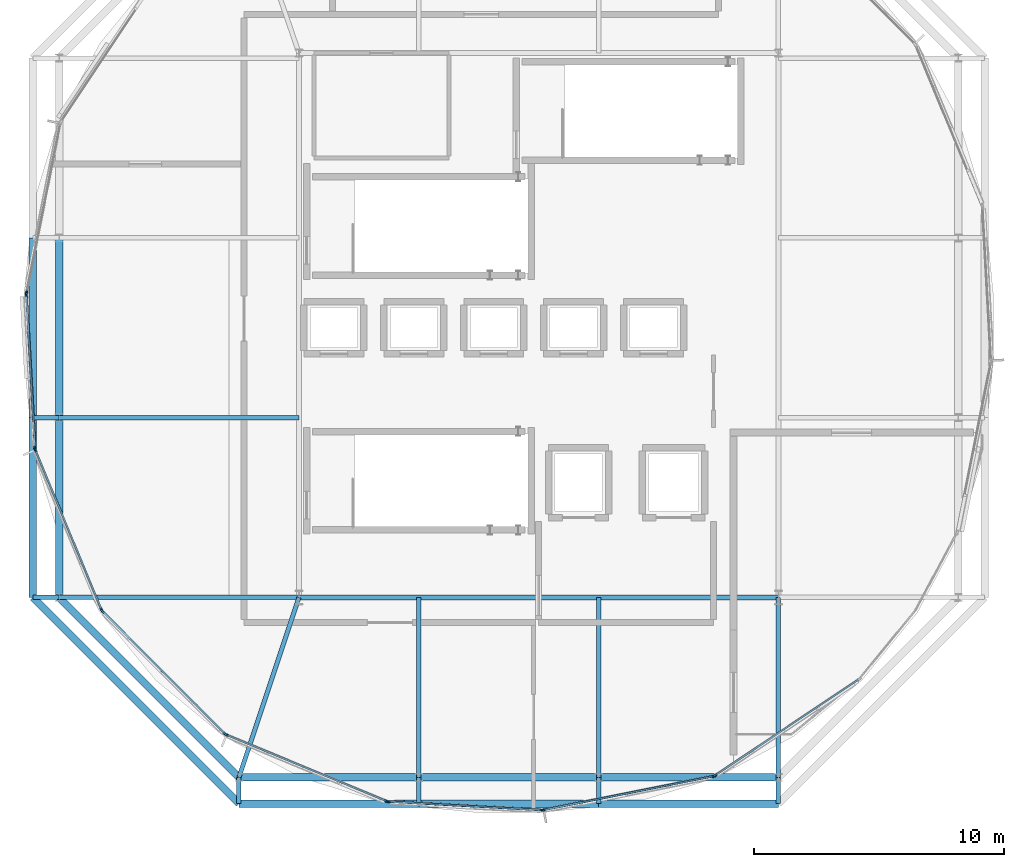
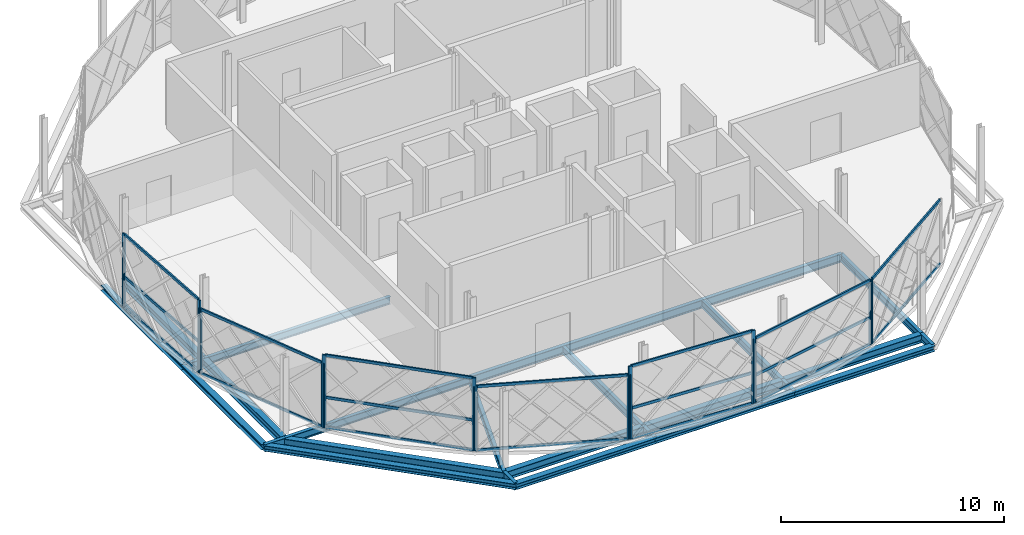
# One storey, part 5 of 15: 32 members, 25 beams, 8 elements without a shape of their own.
"""IFC4 building model written with IfcOpenShell, lengths in metres."""

from ifc_helpers import new_model, si_unit, direction, frame, origin, origin_2d, place, context, subcontext, project, spatial, rectangle, i_section, extrude, material, layer, layer_set, material_profile, profile_set, type_object, element, aggregate, save


model = new_model("IFC4")

# Units and contexts
model_context = context("Model", 3, precision=1e-05, world=origin(), true_north=direction((0.0, 1.0)))
body_context = subcontext(model_context, "Body", "Model", "MODEL_VIEW")
ifc_project = project(units=[si_unit("LENGTHUNIT", "METRE"), si_unit("AREAUNIT", "SQUARE_METRE"), si_unit("VOLUMEUNIT", "CUBIC_METRE"), si_unit("PLANEANGLEUNIT", "RADIAN"), si_unit("MASSUNIT", "GRAM", prefix="KILO")], contexts=[model_context])

# Site, building, storey
site_placement = place(None, origin())
site = spatial("IfcSite", under=ifc_project, at=site_placement, CompositionType="ELEMENT")
building_placement = place(site_placement, origin())
building = spatial("IfcBuilding", under=site, at=building_placement, Name="Zevrakil Square Congress Hotel", CompositionType="ELEMENT")
storey_placement = place(building_placement, frame((0.0, 0.0, 41.89990234375)))
storey = spatial("IfcBuildingStorey", under=building, at=storey_placement, Name="L12", CompositionType="ELEMENT", Elevation=41.89990234375)

# Beams
ifc_material_1 = material(Name="Steel S355", Category="steel")
ifc_material_profile_1 = material_profile(ifc_material_1, i_section(OverallWidth=0.300048828125, OverallDepth=0.43994140625, WebThickness=0.011474609375, FlangeThickness=0.02099609375, FilletRadius=0.027099609375, at=origin_2d()), Name="HEA 450")
ifc_profile_set_1 = profile_set([ifc_material_profile_1], Name="Steel S355")
beam_type_1 = type_object("IfcBeamType", Name="BM-HEA450", PredefinedType="BEAM", material=ifc_profile_set_1)
beam_1_placement = place(storey_placement, frame((134.39990234375, 9.60009765625, -0.469970703125), z_axis=(1.0, 0.0, 0.0), x_axis=(0.0, 1.0, 0.0)))
element("IfcBeam", 1, at=beam_1_placement, inside=storey, type_object=beam_type_1, Name="L12 drum ring girder DRB-01", PredefinedType="BEAM", context=body_context, shape_type="SweptSolid", body=[
    extrude(i_section(OverallWidth=0.300048828125, OverallDepth=0.43994140625, WebThickness=0.011474609375, FlangeThickness=0.02099609375, FilletRadius=0.027099609375, at=origin_2d()), origin(), (0.0, 0.0, 1.0), 7.2001953125),
])
for number, where, z_axis, x_axis, name in (
    (2, (141.60009765625, 9.60009765625, -0.469970703125), (1.0, 0.0, 0.0), (0.0, 1.0, 0.0), "L12 drum ring girder DRB-02"),
    (3, (148.800048828125, 9.60009765625, -0.469970703125), (1.0, 0.0, 0.0), (0.0, 1.0, 0.0), "L12 drum ring girder DRB-03"),
    (4, (127.199951171875, 31.199951171875, -0.469970703125), (0.0, -1.0, 0.0), (1.0, 0.0, 0.0), "L12 drum ring girder DRB-14"),
    (5, (127.199951171875, 24.0, -0.469970703125), (0.0, -1.0, 0.0), (1.0, 0.0, 0.0), "L12 drum ring girder DRB-15"),
):
    element("IfcBeam", number, at=place(storey_placement, frame(where, z_axis=z_axis, x_axis=x_axis)), inside=storey, type_object=beam_type_1, Name=name, PredefinedType="BEAM", context=body_context, shape_type="SweptSolid", body=[
        extrude(i_section(OverallWidth=0.300048828125, OverallDepth=0.43994140625, WebThickness=0.011474609375, FlangeThickness=0.02099609375, FilletRadius=0.027099609375, at=origin_2d()), origin(), (0.0, 0.0, 1.0), 7.199951171875),
    ])
beam_2_placement = place(storey_placement, frame((127.199951171875, 16.800048828125, -0.469970703125), z_axis=(0.707106781187, -0.707106781187, 0.0), x_axis=(0.707106781187, 0.707106781187, 0.0)))
element("IfcBeam", 6, at=beam_2_placement, inside=storey, type_object=beam_type_1, Name="L12 drum ring girder DRB-16", PredefinedType="BEAM", context=body_context, shape_type="SweptSolid", body=[
    extrude(i_section(OverallWidth=0.300048828125, OverallDepth=0.43994140625, WebThickness=0.011474609375, FlangeThickness=0.02099609375, FilletRadius=0.027099609375, at=origin_2d()), origin(), (0.0, 0.0, 1.0), 10.182373046875),
])
ifc_material_2 = material(Name="Steel S355", Category="steel")
ifc_material_profile_2 = material_profile(ifc_material_2, i_section(OverallWidth=0.18994140625, OverallDepth=0.449951171875, WebThickness=0.009521484375, FlangeThickness=0.0146484375, FilletRadius=0.02099609375, at=origin_2d()), Name="IPE 450")
ifc_profile_set_2 = profile_set([ifc_material_profile_2], Name="Steel S355")
beam_type_2 = type_object("IfcBeamType", Name="BM-IPE450", PredefinedType="BEAM", material=ifc_profile_set_2)
beam_3_placement = place(storey_placement, frame((136.800048828125, 16.800048828125, -0.474853515625), z_axis=(1.0, 0.0, 0.0), x_axis=(0.0, 1.0, 0.0)))
element("IfcBeam", 7, at=beam_3_placement, inside=storey, type_object=beam_type_2, Name="L12 drum core perimeter tie beam DCB-01", PredefinedType="BEAM", context=body_context, shape_type="SweptSolid", body=[
    extrude(i_section(OverallWidth=0.18994140625, OverallDepth=0.449951171875, WebThickness=0.009521484375, FlangeThickness=0.0146484375, FilletRadius=0.02099609375, at=origin_2d()), origin(), (0.0, 0.0, 1.0), 19.199951171875),
])

# Curtain wall, members
ifc_material_3 = material(Name="Aluminium Anodised Bronze", Category="aluminium")
ifc_layer_1 = layer(ifc_material_3, 0.179931640625)
ifc_layer_set_1 = layer_set([ifc_layer_1], Name="Aluminium Anodised Bronze")
curtain_wall_type_1 = type_object("IfcCurtainWallType", Name="CW-L12-720", PredefinedType="USERDEFINED", material=ifc_layer_set_1)
curtain_wall_1_placement = place(storey_placement, origin())
curtain_wall_1 = element("IfcCurtainWall", 8, at=curtain_wall_1_placement, inside=storey, type_object=curtain_wall_type_1, Name="L12 diamond curtain wall CW-L12-0302", ObjectType="GLAZED CURTAIN WALL", PredefinedType="USERDEFINED")
ifc_material_4 = material(Name="Aluminium Anodised Bronze", Category="aluminium")
ifc_material_profile_3 = material_profile(ifc_material_4, rectangle(XDim=0.074951171875, YDim=0.14990234375, at=origin_2d()), Name="ALU 75x150")
ifc_profile_set_3 = profile_set([ifc_material_profile_3], Name="Aluminium Anodised Bronze")
member_type_1 = type_object("IfcMemberType", Name="CWM-ALU75x150", PredefinedType="USERDEFINED", material=ifc_profile_set_3)
member_1_placement = place(storey_placement, frame((146.61474609375, 8.30078125, 0.030029296875), z_axis=(0.98078740996, 0.195079615704, 0.0), x_axis=(-0.195079615704, 0.98078740996, 0.0)))
member_1 = element("IfcMember", 9, at=member_1_placement, type_object=member_type_1, Name="CW-142 transom 1.1", ObjectType="TRANSOM", PredefinedType="USERDEFINED", context=body_context, shape_type="SweptSolid", body=[
    extrude(rectangle(XDim=0.074951171875, YDim=0.14990234375, at=origin_2d()), origin(), (0.0, 0.0, 1.0), 6.8857421875),
])
member_2_placement = place(storey_placement, frame((146.61474609375, 8.30078125, 1.48681640625), z_axis=(0.98078740996, 0.195079615704, 0.0), x_axis=(-0.195079615704, 0.98078740996, 0.0)))
member_2 = element("IfcMember", 10, at=member_2_placement, type_object=member_type_1, Name="CW-142 transom 1.2", ObjectType="TRANSOM", PredefinedType="USERDEFINED", context=body_context, shape_type="SweptSolid", body=[
    extrude(rectangle(XDim=0.074951171875, YDim=0.14990234375, at=origin_2d()), origin(), (0.0, 0.0, 1.0), 6.8857421875),
])
member_3_placement = place(storey_placement, frame((146.61474609375, 8.30078125, 3.510009765625), z_axis=(0.98078740996, 0.195079615704, 0.0), x_axis=(-0.195079615704, 0.98078740996, 0.0)))
member_3 = element("IfcMember", 11, at=member_3_placement, type_object=member_type_1, Name="CW-142 transom 1.3", ObjectType="TRANSOM", PredefinedType="USERDEFINED", context=body_context, shape_type="SweptSolid", body=[
    extrude(rectangle(XDim=0.074951171875, YDim=0.14990234375, at=origin_2d()), origin(), (0.0, 0.0, 1.0), 6.8857421875),
])

curtain_wall_2_placement = place(storey_placement, origin())
curtain_wall_2 = element("IfcCurtainWall", 12, at=curtain_wall_2_placement, inside=storey, type_object=curtain_wall_type_1, Name="L12 diamond curtain wall CW-L12-0303", ObjectType="GLAZED CURTAIN WALL", PredefinedType="USERDEFINED")
member_4_placement = place(storey_placement, frame((153.47705078125, 9.68896484375, 0.030029296875), z_axis=(0.831449778178, 0.555599915738, 0.0), x_axis=(-0.555599915738, 0.831449778178, 0.0)))
member_4 = element("IfcMember", 13, at=member_4_placement, type_object=member_type_1, Name="CW-142 transom 1.1", ObjectType="TRANSOM", PredefinedType="USERDEFINED", context=body_context, shape_type="SweptSolid", body=[
    extrude(rectangle(XDim=0.074951171875, YDim=0.14990234375, at=origin_2d()), origin(), (0.0, 0.0, 1.0), 6.8857421875),
])
member_5_placement = place(storey_placement, frame((153.47705078125, 9.68896484375, 3.510009765625), z_axis=(0.831449778178, 0.555599915738, 0.0), x_axis=(-0.555599915738, 0.831449778178, 0.0)))
member_5 = element("IfcMember", 14, at=member_5_placement, type_object=member_type_1, Name="CW-142 transom 1.2", ObjectType="TRANSOM", PredefinedType="USERDEFINED", context=body_context, shape_type="SweptSolid", body=[
    extrude(rectangle(XDim=0.074951171875, YDim=0.14990234375, at=origin_2d()), origin(), (0.0, 0.0, 1.0), 6.8857421875),
])

ifc_material_5 = material(Name="Aluminium Anodised Bronze", Category="aluminium")
ifc_layer_2 = layer(ifc_material_5, 0.179931640625)
ifc_layer_set_2 = layer_set([ifc_layer_2], Name="Aluminium Anodised Bronze")
curtain_wall_type_2 = type_object("IfcCurtainWallType", Name="CW-L12-640", PredefinedType="USERDEFINED", material=ifc_layer_set_2)
curtain_wall_3_placement = place(storey_placement, origin())
curtain_wall_3 = element("IfcCurtainWall", 15, at=curtain_wall_3_placement, inside=storey, type_object=curtain_wall_type_2, Name="L12 diamond curtain wall CW-L12-0314", ObjectType="GLAZED CURTAIN WALL", PredefinedType="USERDEFINED")
member_6_placement = place(storey_placement, frame((125.892333984375, 28.89599609375, 0.030029296875), z_axis=(0.055432363232, -0.998462444515, 0.0), x_axis=(0.998462444515, 0.055432363232, 0.0)))
member_6 = element("IfcMember", 16, at=member_6_placement, type_object=member_type_1, Name="CW-141 transom 1.1", ObjectType="TRANSOM", PredefinedType="USERDEFINED", context=body_context, shape_type="SweptSolid", body=[
    extrude(rectangle(XDim=0.074951171875, YDim=0.14990234375, at=origin_2d()), origin(), (0.0, 0.0, 1.0), 6.104248046875),
])
member_7_placement = place(storey_placement, frame((125.892333984375, 28.89599609375, 1.677978515625), z_axis=(0.055432363232, -0.998462444515, 0.0), x_axis=(0.998462444515, 0.055432363232, 0.0)))
member_7 = element("IfcMember", 17, at=member_7_placement, type_object=member_type_1, Name="CW-141 transom 1.2", ObjectType="TRANSOM", PredefinedType="USERDEFINED", context=body_context, shape_type="SweptSolid", body=[
    extrude(rectangle(XDim=0.074951171875, YDim=0.14990234375, at=origin_2d()), origin(), (0.0, 0.0, 1.0), 6.104248046875),
])
member_8_placement = place(storey_placement, frame((125.892333984375, 28.89599609375, 3.965087890625), z_axis=(0.055432363232, -0.998462444515, 0.0), x_axis=(0.998462444515, 0.055432363232, 0.0)))
member_8 = element("IfcMember", 18, at=member_8_placement, type_object=member_type_1, Name="CW-141 transom 1.3", ObjectType="TRANSOM", PredefinedType="USERDEFINED", context=body_context, shape_type="SweptSolid", body=[
    extrude(rectangle(XDim=0.074951171875, YDim=0.14990234375, at=origin_2d()), origin(), (0.0, 0.0, 1.0), 6.104248046875),
])

curtain_wall_4_placement = place(storey_placement, origin())
curtain_wall_4 = element("IfcCurtainWall", 19, at=curtain_wall_4_placement, inside=storey, type_object=curtain_wall_type_1, Name="L12 diamond curtain wall CW-L12-0315", ObjectType="GLAZED CURTAIN WALL", PredefinedType="USERDEFINED")
member_9_placement = place(storey_placement, frame((126.257080078125, 22.685791015625, 0.030029296875), z_axis=(0.382678505582, -0.923881573236, 0.0), x_axis=(0.923881573236, 0.382678505582, 0.0)))
member_9 = element("IfcMember", 20, at=member_9_placement, type_object=member_type_1, Name="CW-142 transom 1.1", ObjectType="TRANSOM", PredefinedType="USERDEFINED", context=body_context, shape_type="SweptSolid", body=[
    extrude(rectangle(XDim=0.074951171875, YDim=0.14990234375, at=origin_2d()), origin(), (0.0, 0.0, 1.0), 6.8857421875),
])
member_10_placement = place(storey_placement, frame((126.257080078125, 22.685791015625, 3.510009765625), z_axis=(0.382678505582, -0.923881573236, 0.0), x_axis=(0.923881573236, 0.382678505582, 0.0)))
member_10 = element("IfcMember", 21, at=member_10_placement, type_object=member_type_1, Name="CW-142 transom 1.2", ObjectType="TRANSOM", PredefinedType="USERDEFINED", context=body_context, shape_type="SweptSolid", body=[
    extrude(rectangle(XDim=0.074951171875, YDim=0.14990234375, at=origin_2d()), origin(), (0.0, 0.0, 1.0), 6.8857421875),
])

curtain_wall_5_placement = place(storey_placement, origin())
curtain_wall_5 = element("IfcCurtainWall", 22, at=curtain_wall_5_placement, inside=storey, type_object=curtain_wall_type_1, Name="L12 diamond curtain wall CW-L12-0316", ObjectType="GLAZED CURTAIN WALL", PredefinedType="USERDEFINED")
member_11_placement = place(storey_placement, frame((128.95751953125, 16.226318359375, 0.030029296875), z_axis=(0.707089052325, -0.707124509604, 0.0), x_axis=(0.707124509604, 0.707089052325, 0.0)))
member_11 = element("IfcMember", 23, at=member_11_placement, type_object=member_type_1, Name="CW-142 transom 1.1", ObjectType="TRANSOM", PredefinedType="USERDEFINED", context=body_context, shape_type="SweptSolid", body=[
    extrude(rectangle(XDim=0.074951171875, YDim=0.14990234375, at=origin_2d()), origin(), (0.0, 0.0, 1.0), 6.885498046875),
])
member_12_placement = place(storey_placement, frame((128.95751953125, 16.226318359375, 1.677978515625), z_axis=(0.707089052325, -0.707124509604, 0.0), x_axis=(0.707124509604, 0.707089052325, 0.0)))
member_12 = element("IfcMember", 24, at=member_12_placement, type_object=member_type_1, Name="CW-142 transom 1.2", ObjectType="TRANSOM", PredefinedType="USERDEFINED", context=body_context, shape_type="SweptSolid", body=[
    extrude(rectangle(XDim=0.074951171875, YDim=0.14990234375, at=origin_2d()), origin(), (0.0, 0.0, 1.0), 6.885498046875),
])
member_13_placement = place(storey_placement, frame((128.95751953125, 16.226318359375, 3.965087890625), z_axis=(0.707089052325, -0.707124509604, 0.0), x_axis=(0.707124509604, 0.707089052325, 0.0)))
member_13 = element("IfcMember", 25, at=member_13_placement, type_object=member_type_1, Name="CW-142 transom 1.3", ObjectType="TRANSOM", PredefinedType="USERDEFINED", context=body_context, shape_type="SweptSolid", body=[
    extrude(rectangle(XDim=0.074951171875, YDim=0.14990234375, at=origin_2d()), origin(), (0.0, 0.0, 1.0), 6.885498046875),
])

curtain_wall_6_placement = place(storey_placement, origin())
curtain_wall_6 = element("IfcCurtainWall", 26, at=curtain_wall_6_placement, inside=storey, type_object=curtain_wall_type_1, Name="L12 diamond curtain wall CW-L12-0317", ObjectType="GLAZED CURTAIN WALL", PredefinedType="USERDEFINED")
member_14_placement = place(storey_placement, frame((133.924072265625, 11.2919921875, 0.030029296875), z_axis=(0.923886765284, -0.38266597044, 0.0), x_axis=(0.38266597044, 0.923886765284, 0.0)))
member_14 = element("IfcMember", 27, at=member_14_placement, type_object=member_type_1, Name="CW-142 transom 1.1", ObjectType="TRANSOM", PredefinedType="USERDEFINED", context=body_context, shape_type="SweptSolid", body=[
    extrude(rectangle(XDim=0.074951171875, YDim=0.14990234375, at=origin_2d()), origin(), (0.0, 0.0, 1.0), 6.885986328125),
])
member_15_placement = place(storey_placement, frame((133.924072265625, 11.2919921875, 3.510009765625), z_axis=(0.923886765284, -0.38266597044, 0.0), x_axis=(0.38266597044, 0.923886765284, 0.0)))
member_15 = element("IfcMember", 28, at=member_15_placement, type_object=member_type_1, Name="CW-142 transom 1.2", ObjectType="TRANSOM", PredefinedType="USERDEFINED", context=body_context, shape_type="SweptSolid", body=[
    extrude(rectangle(XDim=0.074951171875, YDim=0.14990234375, at=origin_2d()), origin(), (0.0, 0.0, 1.0), 6.885986328125),
])

curtain_wall_7_placement = place(storey_placement, origin())
curtain_wall_7 = element("IfcCurtainWall", 29, at=curtain_wall_7_placement, inside=storey, type_object=curtain_wall_type_2, Name="L12 diamond curtain wall CW-L12-0318", ObjectType="GLAZED CURTAIN WALL", PredefinedType="USERDEFINED")
member_16_placement = place(storey_placement, frame((140.401123046875, 8.630615234375, 0.030029296875), z_axis=(0.998462444515, -0.055432363232, 0.0), x_axis=(0.055432363232, 0.998462444515, 0.0)))
member_16 = element("IfcMember", 30, at=member_16_placement, type_object=member_type_1, Name="CW-141 transom 1.1", ObjectType="TRANSOM", PredefinedType="USERDEFINED", context=body_context, shape_type="SweptSolid", body=[
    extrude(rectangle(XDim=0.074951171875, YDim=0.14990234375, at=origin_2d()), origin(), (0.0, 0.0, 1.0), 6.104248046875),
])
member_17_placement = place(storey_placement, frame((140.401123046875, 8.630615234375, 1.677978515625), z_axis=(0.998462444515, -0.055432363232, 0.0), x_axis=(0.055432363232, 0.998462444515, 0.0)))
member_17 = element("IfcMember", 31, at=member_17_placement, type_object=member_type_1, Name="CW-141 transom 1.2", ObjectType="TRANSOM", PredefinedType="USERDEFINED", context=body_context, shape_type="SweptSolid", body=[
    extrude(rectangle(XDim=0.074951171875, YDim=0.14990234375, at=origin_2d()), origin(), (0.0, 0.0, 1.0), 6.104248046875),
])
member_18_placement = place(storey_placement, frame((140.401123046875, 8.630615234375, 3.965087890625), z_axis=(0.998462444515, -0.055432363232, 0.0), x_axis=(0.055432363232, 0.998462444515, 0.0)))
member_18 = element("IfcMember", 32, at=member_18_placement, type_object=member_type_1, Name="CW-141 transom 1.3", ObjectType="TRANSOM", PredefinedType="USERDEFINED", context=body_context, shape_type="SweptSolid", body=[
    extrude(rectangle(XDim=0.074951171875, YDim=0.14990234375, at=origin_2d()), origin(), (0.0, 0.0, 1.0), 6.104248046875),
])

# Member
ifc_material_6 = material(Name="Aluminium Anodised Bronze", Category="aluminium")
ifc_material_profile_4 = material_profile(ifc_material_6, rectangle(XDim=0.074951171875, YDim=0.179931640625, at=origin_2d()), Name="ALU 75x180")
ifc_profile_set_4 = profile_set([ifc_material_profile_4], Name="Aluminium Anodised Bronze")
member_type_2 = type_object("IfcMemberType", Name="CWM-ALU75x180", PredefinedType="MULLION", material=ifc_profile_set_4)
member_19_placement = place(storey_placement, frame((146.58544921875, 8.294921875, 0.0), z_axis=(0.0, 0.0, 1.0), x_axis=(-0.195083900459, 0.980786557708, 0.0)))
member_19 = element("IfcMember", 33, at=member_19_placement, type_object=member_type_2, Name="CW-142 mullion 1", PredefinedType="MULLION", context=body_context, shape_type="SweptSolid", body=[
    extrude(rectangle(XDim=0.074951171875, YDim=0.179931640625, at=origin_2d()), origin(), (0.0, 0.0, 1.0), 3.5400390625),
])

member_20_placement = place(storey_placement, frame((153.397705078125, 9.64990234375, 0.0), z_axis=(0.0, 0.0, 1.0), x_axis=(-0.195083900459, 0.980786557708, 0.0)))
member_20 = element("IfcMember", 34, at=member_20_placement, type_object=member_type_2, Name="CW-142 mullion 2", PredefinedType="MULLION", context=body_context, shape_type="SweptSolid", body=[
    extrude(rectangle(XDim=0.074951171875, YDim=0.179931640625, at=origin_2d()), origin(), (0.0, 0.0, 1.0), 3.5400390625),
])

aggregate(curtain_wall_1, [member_19, member_20, member_1, member_2, member_3])

member_21_placement = place(storey_placement, frame((153.4521484375, 9.67236328125, 0.0), z_axis=(0.0, 0.0, 1.0), x_axis=(-0.555576098128, 0.831465693332, 0.0)))
member_21 = element("IfcMember", 35, at=member_21_placement, type_object=member_type_2, Name="CW-142 mullion 1", PredefinedType="MULLION", context=body_context, shape_type="SweptSolid", body=[
    extrude(rectangle(XDim=0.074951171875, YDim=0.179931640625, at=origin_2d()), origin(), (0.0, 0.0, 1.0), 3.5400390625),
])

aggregate(curtain_wall_2, [member_21, member_4, member_5])

# Curtain wall, member
curtain_wall_8_placement = place(storey_placement, origin())
curtain_wall_8 = element("IfcCurtainWall", 36, at=curtain_wall_8_placement, inside=storey, type_object=curtain_wall_type_1, Name="L12 diamond curtain wall CW-L12-0313", ObjectType="GLAZED CURTAIN WALL", PredefinedType="USERDEFINED")
member_22_placement = place(storey_placement, frame((125.894775390625, 28.9853515625, 0.0), z_axis=(0.0, 0.0, 1.0), x_axis=(0.980786557708, -0.195083900459, 0.0)))
member_22 = element("IfcMember", 37, at=member_22_placement, type_object=member_type_2, Name="CW-142 mullion 2", PredefinedType="MULLION", context=body_context, shape_type="SweptSolid", body=[
    extrude(rectangle(XDim=0.074951171875, YDim=0.179931640625, at=origin_2d()), origin(), (0.0, 0.0, 1.0), 3.5400390625),
])
aggregate(curtain_wall_8, [member_22])

# Member
member_23_placement = place(storey_placement, frame((125.890625, 28.926025390625, 0.0), z_axis=(0.0, 0.0, 1.0), x_axis=(0.998462725099, 0.055427309038, 0.0)))
member_23 = element("IfcMember", 38, at=member_23_placement, type_object=member_type_2, Name="CW-141 mullion 1", PredefinedType="MULLION", context=body_context, shape_type="SweptSolid", body=[
    extrude(rectangle(XDim=0.074951171875, YDim=0.179931640625, at=origin_2d()), origin(), (0.0, 0.0, 1.0), 3.9951171875),
])

member_24_placement = place(storey_placement, frame((126.232421875, 22.771240234375, 0.0), z_axis=(0.0, 0.0, 1.0), x_axis=(0.998462725099, 0.055427309038, 0.0)))
member_24 = element("IfcMember", 39, at=member_24_placement, type_object=member_type_2, Name="CW-141 mullion 2", PredefinedType="MULLION", context=body_context, shape_type="SweptSolid", body=[
    extrude(rectangle(XDim=0.074951171875, YDim=0.179931640625, at=origin_2d()), origin(), (0.0, 0.0, 1.0), 3.9951171875),
])

aggregate(curtain_wall_3, [member_23, member_24, member_6, member_7, member_8])

member_25_placement = place(storey_placement, frame((126.245361328125, 22.71337890625, 0.0), z_axis=(0.0, 0.0, 1.0), x_axis=(0.92387939537, 0.382683763454, 0.0)))
member_25 = element("IfcMember", 40, at=member_25_placement, type_object=member_type_2, Name="CW-142 mullion 1", PredefinedType="MULLION", context=body_context, shape_type="SweptSolid", body=[
    extrude(rectangle(XDim=0.074951171875, YDim=0.179931640625, at=origin_2d()), origin(), (0.0, 0.0, 1.0), 3.5400390625),
])

member_26_placement = place(storey_placement, frame((128.903564453125, 16.29638671875, 0.0), z_axis=(0.0, 0.0, 1.0), x_axis=(0.92387939537, 0.382683763454, 0.0)))
member_26 = element("IfcMember", 41, at=member_26_placement, type_object=member_type_2, Name="CW-142 mullion 2", PredefinedType="MULLION", context=body_context, shape_type="SweptSolid", body=[
    extrude(rectangle(XDim=0.074951171875, YDim=0.179931640625, at=origin_2d()), origin(), (0.0, 0.0, 1.0), 3.5400390625),
])

aggregate(curtain_wall_4, [member_25, member_26, member_9, member_10])

member_27_placement = place(storey_placement, frame((128.936279296875, 16.24755859375, 0.0), z_axis=(0.0, 0.0, 1.0), x_axis=(0.707106781187, 0.707106781187, 0.0)))
member_27 = element("IfcMember", 42, at=member_27_placement, type_object=member_type_2, Name="CW-142 mullion 1", PredefinedType="MULLION", context=body_context, shape_type="SweptSolid", body=[
    extrude(rectangle(XDim=0.074951171875, YDim=0.179931640625, at=origin_2d()), origin(), (0.0, 0.0, 1.0), 3.9951171875),
])

member_28_placement = place(storey_placement, frame((133.847412109375, 11.336181640625, 0.0), z_axis=(0.0, 0.0, 1.0), x_axis=(0.707106781187, 0.707106781187, 0.0)))
member_28 = element("IfcMember", 43, at=member_28_placement, type_object=member_type_2, Name="CW-142 mullion 2", PredefinedType="MULLION", context=body_context, shape_type="SweptSolid", body=[
    extrude(rectangle(XDim=0.074951171875, YDim=0.179931640625, at=origin_2d()), origin(), (0.0, 0.0, 1.0), 3.9951171875),
])

aggregate(curtain_wall_5, [member_27, member_28, member_11, member_12, member_13])

member_29_placement = place(storey_placement, frame((133.896484375, 11.303466796875, 0.0), z_axis=(0.0, 0.0, 1.0), x_axis=(0.382683763454, 0.92387939537, 0.0)))
member_29 = element("IfcMember", 44, at=member_29_placement, type_object=member_type_2, Name="CW-142 mullion 1", PredefinedType="MULLION", context=body_context, shape_type="SweptSolid", body=[
    extrude(rectangle(XDim=0.074951171875, YDim=0.179931640625, at=origin_2d()), origin(), (0.0, 0.0, 1.0), 3.5400390625),
])

member_30_placement = place(storey_placement, frame((140.3134765625, 8.6455078125, 0.0), z_axis=(0.0, 0.0, 1.0), x_axis=(0.382683763454, 0.92387939537, 0.0)))
member_30 = element("IfcMember", 45, at=member_30_placement, type_object=member_type_2, Name="CW-142 mullion 2", PredefinedType="MULLION", context=body_context, shape_type="SweptSolid", body=[
    extrude(rectangle(XDim=0.074951171875, YDim=0.179931640625, at=origin_2d()), origin(), (0.0, 0.0, 1.0), 3.5400390625),
])

aggregate(curtain_wall_6, [member_29, member_30, member_14, member_15])

member_31_placement = place(storey_placement, frame((140.37109375, 8.63232421875, 0.0), z_axis=(0.0, 0.0, 1.0), x_axis=(0.055427309038, 0.998462725099, 0.0)))
member_31 = element("IfcMember", 46, at=member_31_placement, type_object=member_type_2, Name="CW-141 mullion 1", PredefinedType="MULLION", context=body_context, shape_type="SweptSolid", body=[
    extrude(rectangle(XDim=0.074951171875, YDim=0.179931640625, at=origin_2d()), origin(), (0.0, 0.0, 1.0), 3.9951171875),
])

member_32_placement = place(storey_placement, frame((146.526123046875, 8.290771484375, 0.0), z_axis=(0.0, 0.0, 1.0), x_axis=(0.055427309038, 0.998462725099, 0.0)))
member_32 = element("IfcMember", 47, at=member_32_placement, type_object=member_type_2, Name="CW-141 mullion 2", PredefinedType="MULLION", context=body_context, shape_type="SweptSolid", body=[
    extrude(rectangle(XDim=0.074951171875, YDim=0.179931640625, at=origin_2d()), origin(), (0.0, 0.0, 1.0), 3.9951171875),
])

aggregate(curtain_wall_7, [member_31, member_32, member_16, member_17, member_18])

# Beams
ifc_material_7 = material(Name="Steel S355", Category="steel")
ifc_material_profile_5 = material_profile(ifc_material_7, i_section(OverallWidth=0.179931640625, OverallDepth=0.39990234375, WebThickness=0.008544921875, FlangeThickness=0.013427734375, FilletRadius=0.02099609375, at=origin_2d()), Name="IPE 400")
ifc_profile_set_5 = profile_set([ifc_material_profile_5], Name="Steel S355")
beam_type_3 = type_object("IfcBeamType", Name="JST-IPE400", PredefinedType="JOIST", material=ifc_profile_set_5)
beam_4_placement = place(storey_placement, frame((136.800048828125, 16.800048828125, -0.449951171875), z_axis=(-0.316247066962, -0.948676864184, 0.0), x_axis=(0.948676864184, -0.316247066962, 0.0)))
element("IfcBeam", 48, at=beam_4_placement, inside=storey, type_object=beam_type_3, Name="L12 drum radial floor beam DRI-01", PredefinedType="JOIST", context=body_context, shape_type="SweptSolid", body=[
    extrude(i_section(OverallWidth=0.179931640625, OverallDepth=0.39990234375, WebThickness=0.008544921875, FlangeThickness=0.013427734375, FilletRadius=0.02099609375, at=origin_2d()), origin(), (0.0, 0.0, 1.0), 7.58935546875),
])
beam_5_placement = place(storey_placement, frame((134.39990234375, 9.60009765625, -0.449951171875), z_axis=(0.0, -1.0, 0.0), x_axis=(1.0, 0.0, 0.0)))
element("IfcBeam", 49, at=beam_5_placement, inside=storey, type_object=beam_type_3, Name="L12 drum radial edge cantilever beam DRO-01", PredefinedType="JOIST", context=body_context, shape_type="SweptSolid", body=[
    extrude(i_section(OverallWidth=0.179931640625, OverallDepth=0.39990234375, WebThickness=0.008544921875, FlangeThickness=0.013427734375, FilletRadius=0.02099609375, at=origin_2d()), origin(), (0.0, 0.0, 1.0), 1.051025390625),
])
beam_6_placement = place(storey_placement, frame((141.60009765625, 16.800048828125, -0.449951171875), z_axis=(0.0, -1.0, 0.0), x_axis=(1.0, 0.0, 0.0)))
element("IfcBeam", 50, at=beam_6_placement, inside=storey, type_object=beam_type_3, Name="L12 drum radial floor beam DRI-02", PredefinedType="JOIST", context=body_context, shape_type="SweptSolid", body=[
    extrude(i_section(OverallWidth=0.179931640625, OverallDepth=0.39990234375, WebThickness=0.008544921875, FlangeThickness=0.013427734375, FilletRadius=0.02099609375, at=origin_2d()), origin(), (0.0, 0.0, 1.0), 7.199951171875),
])
beam_7_placement = place(storey_placement, frame((141.60009765625, 9.60009765625, -0.449951171875), z_axis=(0.0, -1.0, 0.0), x_axis=(1.0, 0.0, 0.0)))
element("IfcBeam", 51, at=beam_7_placement, inside=storey, type_object=beam_type_3, Name="L12 drum radial edge cantilever beam DRO-02", PredefinedType="JOIST", context=body_context, shape_type="SweptSolid", body=[
    extrude(i_section(OverallWidth=0.179931640625, OverallDepth=0.39990234375, WebThickness=0.008544921875, FlangeThickness=0.013427734375, FilletRadius=0.02099609375, at=origin_2d()), origin(), (0.0, 0.0, 1.0), 1.051025390625),
])
beam_8_placement = place(storey_placement, frame((148.800048828125, 16.800048828125, -0.449951171875), z_axis=(0.0, -1.0, 0.0), x_axis=(1.0, 0.0, 0.0)))
element("IfcBeam", 52, at=beam_8_placement, inside=storey, type_object=beam_type_3, Name="L12 drum radial floor beam DRI-03", PredefinedType="JOIST", context=body_context, shape_type="SweptSolid", body=[
    extrude(i_section(OverallWidth=0.179931640625, OverallDepth=0.39990234375, WebThickness=0.008544921875, FlangeThickness=0.013427734375, FilletRadius=0.02099609375, at=origin_2d()), origin(), (0.0, 0.0, 1.0), 7.199951171875),
])
beam_9_placement = place(storey_placement, frame((148.800048828125, 9.60009765625, -0.449951171875), z_axis=(0.0, -1.0, 0.0), x_axis=(1.0, 0.0, 0.0)))
element("IfcBeam", 53, at=beam_9_placement, inside=storey, type_object=beam_type_3, Name="L12 drum radial edge cantilever beam DRO-03", PredefinedType="JOIST", context=body_context, shape_type="SweptSolid", body=[
    extrude(i_section(OverallWidth=0.179931640625, OverallDepth=0.39990234375, WebThickness=0.008544921875, FlangeThickness=0.013427734375, FilletRadius=0.02099609375, at=origin_2d()), origin(), (0.0, 0.0, 1.0), 1.051025390625),
])
beam_10_placement = place(storey_placement, frame((156.0, 16.800048828125, -0.449951171875), z_axis=(0.0, -1.0, 0.0), x_axis=(1.0, 0.0, 0.0)))
element("IfcBeam", 54, at=beam_10_placement, inside=storey, type_object=beam_type_3, Name="L12 drum radial floor beam DRI-04", PredefinedType="JOIST", context=body_context, shape_type="SweptSolid", body=[
    extrude(i_section(OverallWidth=0.179931640625, OverallDepth=0.39990234375, WebThickness=0.008544921875, FlangeThickness=0.013427734375, FilletRadius=0.02099609375, at=origin_2d()), origin(), (0.0, 0.0, 1.0), 7.199951171875),
])
beam_11_placement = place(storey_placement, frame((156.0, 9.60009765625, -0.449951171875), z_axis=(0.0, -1.0, 0.0), x_axis=(1.0, 0.0, 0.0)))
element("IfcBeam", 55, at=beam_11_placement, inside=storey, type_object=beam_type_3, Name="L12 drum radial edge cantilever beam DRO-04", PredefinedType="JOIST", context=body_context, shape_type="SweptSolid", body=[
    extrude(i_section(OverallWidth=0.179931640625, OverallDepth=0.39990234375, WebThickness=0.008544921875, FlangeThickness=0.013427734375, FilletRadius=0.02099609375, at=origin_2d()), origin(), (0.0, 0.0, 1.0), 1.051025390625),
])
beam_12_placement = place(storey_placement, frame((136.800048828125, 24.0, -0.449951171875), z_axis=(-1.0, 0.0, 0.0), x_axis=(0.0, -1.0, 0.0)))
element("IfcBeam", 56, at=beam_12_placement, inside=storey, type_object=beam_type_3, Name="L12 drum radial floor beam DRI-15", PredefinedType="JOIST", context=body_context, shape_type="SweptSolid", body=[
    extrude(i_section(OverallWidth=0.179931640625, OverallDepth=0.39990234375, WebThickness=0.008544921875, FlangeThickness=0.013427734375, FilletRadius=0.02099609375, at=origin_2d()), origin(), (0.0, 0.0, 1.0), 9.60009765625),
])
beam_13_placement = place(storey_placement, frame((127.199951171875, 24.0, -0.449951171875), z_axis=(-1.0, 0.0, 0.0), x_axis=(0.0, -1.0, 0.0)))
element("IfcBeam", 57, at=beam_13_placement, inside=storey, type_object=beam_type_3, Name="L12 drum radial edge cantilever beam DRO-15", PredefinedType="JOIST", context=body_context, shape_type="SweptSolid", body=[
    extrude(i_section(OverallWidth=0.179931640625, OverallDepth=0.39990234375, WebThickness=0.008544921875, FlangeThickness=0.013427734375, FilletRadius=0.02099609375, at=origin_2d()), origin(), (0.0, 0.0, 1.0), 1.051025390625),
])
beam_14_placement = place(storey_placement, frame((136.800048828125, 16.800048828125, -0.449951171875), z_axis=(-1.0, 0.0, 0.0), x_axis=(0.0, -1.0, 0.0)))
element("IfcBeam", 58, at=beam_14_placement, inside=storey, type_object=beam_type_3, Name="L12 drum radial floor beam DRI-16", PredefinedType="JOIST", context=body_context, shape_type="SweptSolid", body=[
    extrude(i_section(OverallWidth=0.179931640625, OverallDepth=0.39990234375, WebThickness=0.008544921875, FlangeThickness=0.013427734375, FilletRadius=0.02099609375, at=origin_2d()), origin(), (0.0, 0.0, 1.0), 9.60009765625),
])
beam_15_placement = place(storey_placement, frame((127.199951171875, 16.800048828125, -0.449951171875), z_axis=(-1.0, 0.0, 0.0), x_axis=(0.0, -1.0, 0.0)))
element("IfcBeam", 59, at=beam_15_placement, inside=storey, type_object=beam_type_3, Name="L12 drum radial edge cantilever beam DRO-16", PredefinedType="JOIST", context=body_context, shape_type="SweptSolid", body=[
    extrude(i_section(OverallWidth=0.179931640625, OverallDepth=0.39990234375, WebThickness=0.008544921875, FlangeThickness=0.013427734375, FilletRadius=0.02099609375, at=origin_2d()), origin(), (0.0, 0.0, 1.0), 1.051025390625),
])
ifc_material_8 = material(Name="Steel S355", Category="steel")
ifc_material_profile_6 = material_profile(ifc_material_8, i_section(OverallWidth=0.300048828125, OverallDepth=0.300048828125, WebThickness=0.010986328125, FlangeThickness=0.01904296875, FilletRadius=0.027099609375, at=origin_2d()), Name="HEB 300")
ifc_profile_set_6 = profile_set([ifc_material_profile_6], Name="Steel S355")
beam_type_4 = type_object("IfcBeamType", Name="SPD-RHS250", PredefinedType="SPANDREL", material=ifc_profile_set_6)
beam_16_placement = place(storey_placement, frame((134.39990234375, 8.549072265625, -0.39990234375), z_axis=(1.0, 0.0, 0.0), x_axis=(0.0, 1.0, 0.0)))
element("IfcBeam", 60, at=beam_16_placement, inside=storey, type_object=beam_type_4, Name="L12 drum edge spandrel beam DSP-00", PredefinedType="SPANDREL", context=body_context, shape_type="SweptSolid", body=[
    extrude(i_section(OverallWidth=0.300048828125, OverallDepth=0.300048828125, WebThickness=0.010986328125, FlangeThickness=0.01904296875, FilletRadius=0.027099609375, at=origin_2d()), origin(), (0.0, 0.0, 1.0), 7.2001953125),
])
for number, where, z_axis, x_axis, name in (
    (61, (141.60009765625, 8.549072265625, -0.39990234375), (1.0, 0.0, 0.0), (0.0, 1.0, 0.0), "L12 drum edge spandrel beam DSP-01"),
    (62, (148.800048828125, 8.549072265625, -0.39990234375), (1.0, 0.0, 0.0), (0.0, 1.0, 0.0), "L12 drum edge spandrel beam DSP-02"),
    (63, (126.14892578125, 31.199951171875, -0.39990234375), (0.0, -1.0, 0.0), (1.0, 0.0, 0.0), "L12 drum edge spandrel beam DSP-13"),
    (64, (126.14892578125, 24.0, -0.39990234375), (0.0, -1.0, 0.0), (1.0, 0.0, 0.0), "L12 drum edge spandrel beam DSP-14"),
):
    element("IfcBeam", number, at=place(storey_placement, frame(where, z_axis=z_axis, x_axis=x_axis)), inside=storey, type_object=beam_type_4, Name=name, PredefinedType="SPANDREL", context=body_context, shape_type="SweptSolid", body=[
        extrude(i_section(OverallWidth=0.300048828125, OverallDepth=0.300048828125, WebThickness=0.010986328125, FlangeThickness=0.01904296875, FilletRadius=0.027099609375, at=origin_2d()), origin(), (0.0, 0.0, 1.0), 7.199951171875),
    ])
beam_17_placement = place(storey_placement, frame((126.14892578125, 16.800048828125, -0.39990234375), z_axis=(0.707106781187, -0.707106781187, 0.0), x_axis=(0.707106781187, 0.707106781187, 0.0)))
element("IfcBeam", 65, at=beam_17_placement, inside=storey, type_object=beam_type_4, Name="L12 drum edge spandrel beam DSP-15", PredefinedType="SPANDREL", context=body_context, shape_type="SweptSolid", body=[
    extrude(i_section(OverallWidth=0.300048828125, OverallDepth=0.300048828125, WebThickness=0.010986328125, FlangeThickness=0.01904296875, FilletRadius=0.027099609375, at=origin_2d()), origin(), (0.0, 0.0, 1.0), 11.668701171875),
])

save(model, "model.ifc")
